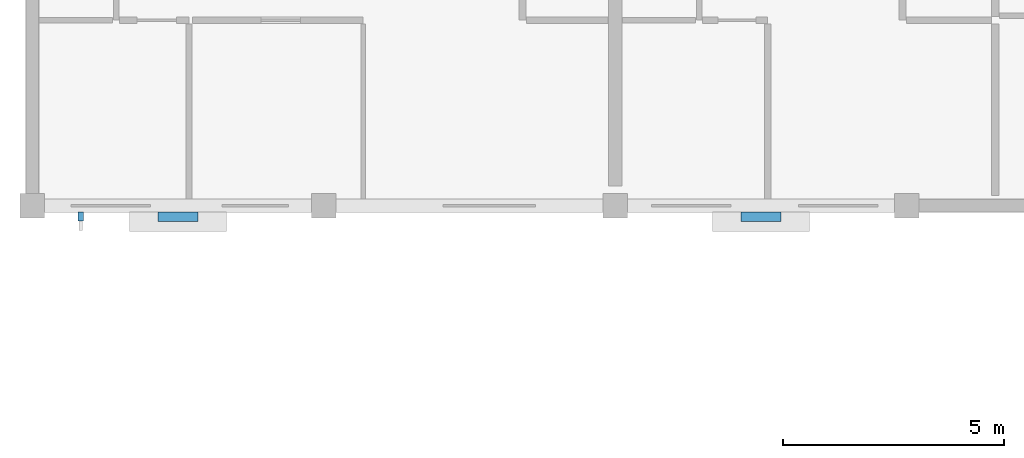
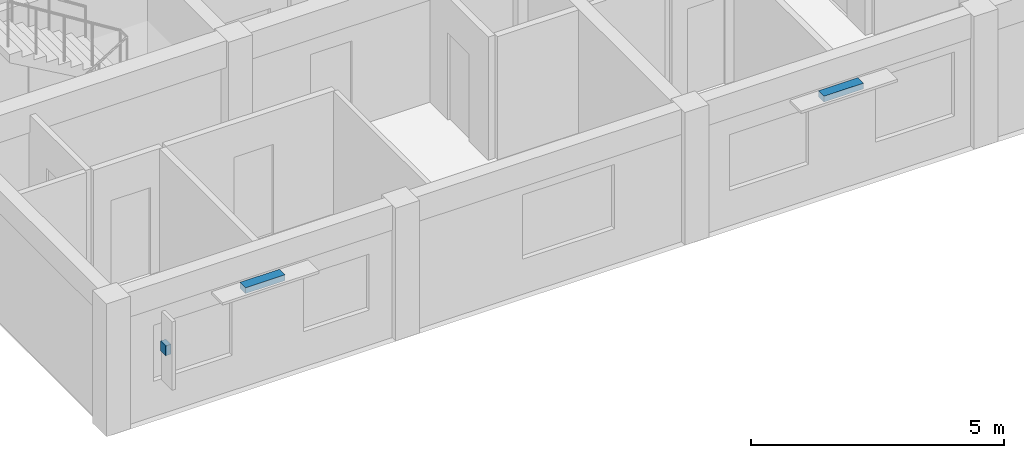
# One storey, part 41 of 49: 3 discrete accessories.
"""IFC4 building model written with IfcOpenShell, lengths in metres."""

from ifc_helpers import new_model, si_unit, direction, frame, origin, origin_2d, place, context, subcontext, project, spatial, rectangle, extrude, material, type_object, element, save


model = new_model("IFC4")

# Units and contexts
model_context = context("Model", 3, precision=1e-05, world=origin(), true_north=direction((0.0, 1.0)))
body_context = subcontext(model_context, "Body", "Model", "MODEL_VIEW")
ifc_project = project(units=[si_unit("LENGTHUNIT", "METRE"), si_unit("AREAUNIT", "SQUARE_METRE"), si_unit("VOLUMEUNIT", "CUBIC_METRE"), si_unit("PLANEANGLEUNIT", "RADIAN"), si_unit("MASSUNIT", "GRAM", prefix="KILO")], contexts=[model_context])

# Site, building, storey
site_placement = place(None, origin())
site = spatial("IfcSite", under=ifc_project, at=site_placement, CompositionType="ELEMENT")
building_placement = place(site_placement, origin())
building = spatial("IfcBuilding", under=site, at=building_placement, Name="Kernevlak Ridge Housing Community", CompositionType="ELEMENT")
storey_placement = place(building_placement, frame((0.0, 0.0, 30.800048828125)))
storey = spatial("IfcBuildingStorey", under=building, at=storey_placement, Name="L09", CompositionType="ELEMENT", Elevation=30.800048828125)

# Discrete accessories
ifc_material = material(Name="Steel S355 galvanised", Category="steel")
discrete_accessory_type = type_object("IfcDiscreteAccessoryType", Name="BK-01", PredefinedType="BRACKET", material=ifc_material)
discrete_accessory_1_placement = place(storey_placement, frame((18.89990234375, 75.75, 2.41015625), z_axis=(0.0, 0.0, 1.0), x_axis=(1.0, 0.0, 0.0)))
element("IfcDiscreteAccessory", 1, at=discrete_accessory_1_placement, inside=storey, type_object=discrete_accessory_type, Name="Sunshade steel bracket 7", PredefinedType="BRACKET", context=body_context, shape_type="SweptSolid", body=[
    extrude(rectangle(XDim=0.89990234375, YDim=0.219970703125, at=origin_2d()), origin(), (0.0, 0.0, 1.0), 0.139892578125),
])
discrete_accessory_2_placement = place(storey_placement, frame((16.699951171875, 75.760009765625, 1.52978515625), z_axis=(0.0, 0.0, 1.0), x_axis=(1.0, 0.0, 0.0)))
element("IfcDiscreteAccessory", 2, at=discrete_accessory_2_placement, inside=storey, type_object=discrete_accessory_type, Name="Vertical fin fixing bracket 7", PredefinedType="BRACKET", context=body_context, shape_type="SweptSolid", body=[
    extrude(rectangle(XDim=0.1201171875, YDim=0.199951171875, at=origin_2d()), origin(), (0.0, 0.0, 1.0), 0.239990234375),
])
discrete_accessory_3_placement = place(storey_placement, frame((32.10009765625, 75.75, 2.41015625), z_axis=(0.0, 0.0, 1.0), x_axis=(1.0, 0.0, 0.0)))
element("IfcDiscreteAccessory", 3, at=discrete_accessory_3_placement, inside=storey, type_object=discrete_accessory_type, Name="Sunshade steel bracket 8", PredefinedType="BRACKET", context=body_context, shape_type="SweptSolid", body=[
    extrude(rectangle(XDim=0.89990234375, YDim=0.219970703125, at=origin_2d()), origin(), (0.0, 0.0, 1.0), 0.139892578125),
])

save(model, "model.ifc")
